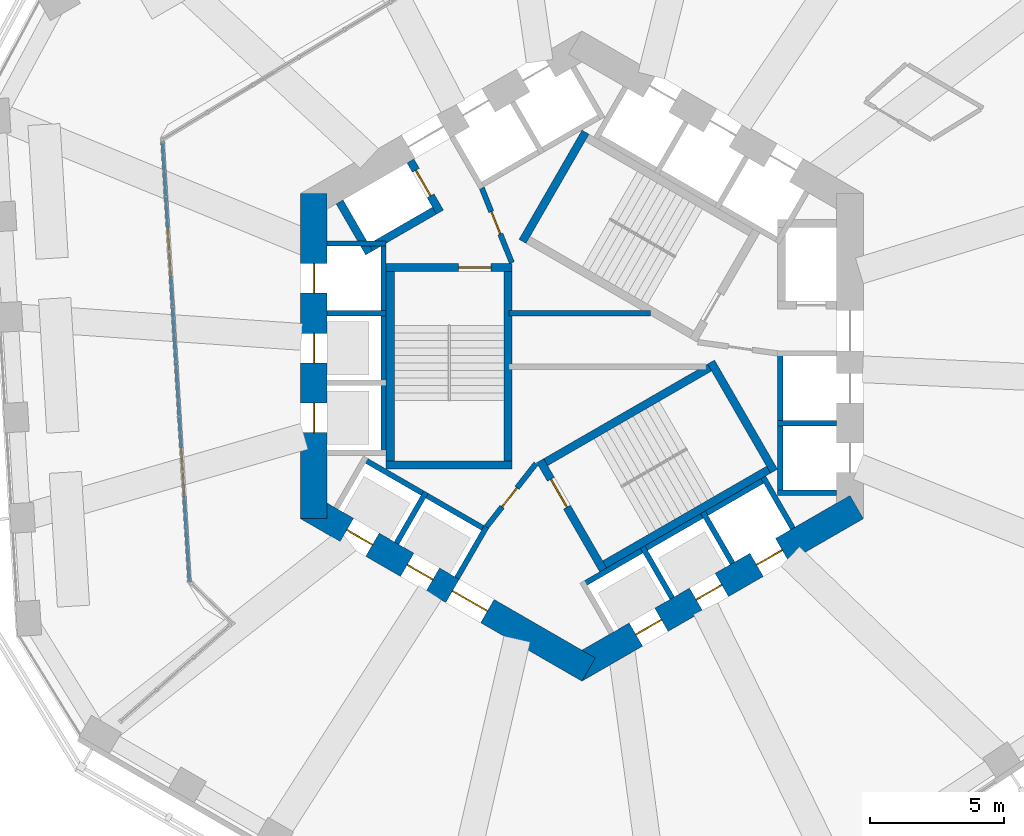
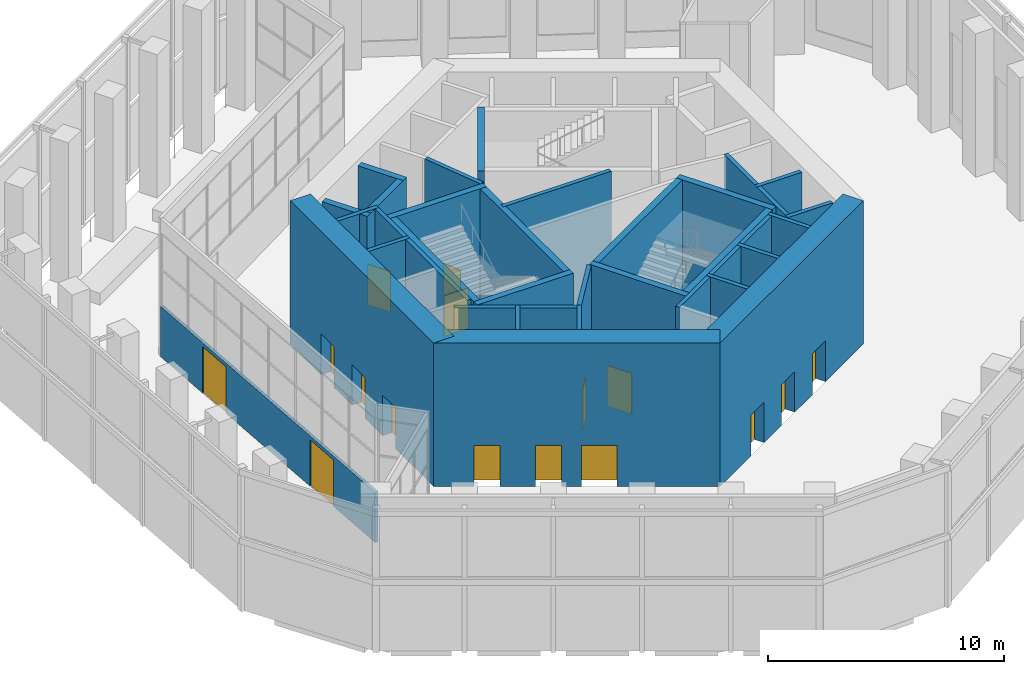
# One storey, part 10 of 19: 32 walls, 16 doors, 16 openings.
"""IFC4 building model written with IfcOpenShell, lengths in metres."""

from ifc_helpers import new_model, si_unit, direction, frame, frame_2d, origin, place, context, subcontext, project, spatial, rectangle, extrude, material, layer, layer_set, type_object, element, fill, save


model = new_model("IFC4")

# Units and contexts
model_context = context("Model", 3, precision=1e-05, world=origin(), true_north=direction((0.0, 1.0)))
body_context = subcontext(model_context, "Body", "Model", "MODEL_VIEW")
ifc_project = project(units=[si_unit("LENGTHUNIT", "METRE"), si_unit("AREAUNIT", "SQUARE_METRE"), si_unit("VOLUMEUNIT", "CUBIC_METRE"), si_unit("PLANEANGLEUNIT", "RADIAN"), si_unit("MASSUNIT", "GRAM", prefix="KILO")], contexts=[model_context])

# Site, building, storey
site_placement = place(None, origin())
site = spatial("IfcSite", under=ifc_project, at=site_placement, CompositionType="ELEMENT")
building_placement = place(site_placement, origin())
building = spatial("IfcBuilding", under=site, at=building_placement, Name="Vanh Sen Convention Tower", CompositionType="ELEMENT")
storey_placement = place(building_placement, frame((0.0, 0.0, 139.199951171875)))
storey = spatial("IfcBuildingStorey", under=building, at=storey_placement, Name="L34", CompositionType="ELEMENT", Elevation=139.199951171875)

# Wall, openings, doors
ifc_material_1 = material(Name="Concrete C80/95", Category="concrete")
ifc_layer_1 = layer(ifc_material_1, 1.0)
ifc_layer_set_1 = layer_set([ifc_layer_1], Name="Concrete C80/95")
wall_type_1 = type_object("IfcWallType", Name="Core outer wall 1000 C80/95", PredefinedType="SHEAR", material=ifc_layer_set_1)
wall_1_placement = place(storey_placement, frame((-10.0, 6.062255859375, 0.0), z_axis=(0.0, 0.0, 1.0), x_axis=(0.0, -1.0, 0.0)))
wall_1 = element("IfcWall", 1, at=wall_1_placement, inside=storey, type_object=wall_type_1, Name="Core wall face W L34", PredefinedType="SHEAR", context=body_context, shape_type="SweptSolid", body=[
    extrude(rectangle(XDim=12.12451171875, YDim=1.0, at=frame_2d((6.062255859375, 0.0))), origin(), (0.0, 0.0, 1.0), 7.400146484375),
])
opening_1_placement = place(wall_1_placement, frame((5.212158203125, 0.0, 0.0)))
opening_1 = element("IfcOpeningElement", 2, at=opening_1_placement, cuts=wall_1, Name="Opening LD-HR1", PredefinedType="OPENING", context=body_context, shape_type="SweptSolid", body=[
    extrude(rectangle(XDim=1.10009765625, YDim=2.10009765625, at=frame_2d((0.550048828125, 1.050048828125))), frame((0.0, 0.510009765625, 0.0), z_axis=(0.0, -1.0, 0.0), x_axis=(1.0, 0.0, 0.0)), (0.0, 0.0, 1.0), 1.02001953125),
])
opening_2_placement = place(wall_1_placement, frame((7.812255859375, 0.0, 0.0)))
opening_2 = element("IfcOpeningElement", 3, at=opening_2_placement, cuts=wall_1, Name="Opening LD-HR2", PredefinedType="OPENING", context=body_context, shape_type="SweptSolid", body=[
    extrude(rectangle(XDim=1.10009765625, YDim=2.10009765625, at=frame_2d((0.550048828125, 1.050048828125))), frame((0.0, 0.510009765625, 0.0), z_axis=(0.0, -1.0, 0.0), x_axis=(1.0, 0.0, 0.0)), (0.0, 0.0, 1.0), 1.02001953125),
])
opening_3_placement = place(wall_1_placement, frame((2.6123046875, 0.0, 0.0)))
opening_3 = element("IfcOpeningElement", 4, at=opening_3_placement, cuts=wall_1, Name="Opening LD-SH2", PredefinedType="OPENING", context=body_context, shape_type="SweptSolid", body=[
    extrude(rectangle(XDim=1.10009765625, YDim=2.10009765625, at=frame_2d((0.550048828125, 1.050048828125))), frame((0.0, 0.510009765625, 0.0), z_axis=(0.0, -1.0, 0.0), x_axis=(1.0, 0.0, 0.0)), (0.0, 0.0, 1.0), 1.02001953125),
])
ifc_material_2 = material(Name="Stainless steel", Category="steel")
door_type_1 = type_object("IfcDoorType", Name="Lift landing door 1100", OperationType="DOUBLE_DOOR_SLIDING", PredefinedType="DOOR", material=ifc_material_2)
door_1_placement = place(opening_1_placement, origin())
door_1 = element("IfcDoor", 5, at=door_1_placement, inside=storey, type_object=door_type_1, Name="Lift HR1 landing door LD-HR1", OperationType="DOUBLE_DOOR_SLIDING", OverallHeight=2.10009765625, OverallWidth=1.10009765625, PredefinedType="DOOR", context=body_context, shape_type="SweptSolid", body=[
    extrude(rectangle(XDim=1.10009765625, YDim=2.10009765625, at=frame_2d((0.550048828125, 1.050048828125))), frame((0.0, 0.02490234375, 0.0), z_axis=(0.0, -1.0, 0.0), x_axis=(1.0, 0.0, 0.0)), (0.0, 0.0, 1.0), 0.050048828125),
])
fill(opening_1, door_1)
door_2_placement = place(opening_2_placement, origin())
door_2 = element("IfcDoor", 6, at=door_2_placement, inside=storey, type_object=door_type_1, Name="Lift HR2 landing door LD-HR2", OperationType="DOUBLE_DOOR_SLIDING", OverallHeight=2.10009765625, OverallWidth=1.10009765625, PredefinedType="DOOR", context=body_context, shape_type="SweptSolid", body=[
    extrude(rectangle(XDim=1.10009765625, YDim=2.10009765625, at=frame_2d((0.550048828125, 1.050048828125))), frame((0.0, 0.02490234375, 0.0), z_axis=(0.0, -1.0, 0.0), x_axis=(1.0, 0.0, 0.0)), (0.0, 0.0, 1.0), 0.050048828125),
])
fill(opening_2, door_2)
door_3_placement = place(opening_3_placement, origin())
door_3 = element("IfcDoor", 7, at=door_3_placement, inside=storey, type_object=door_type_1, Name="Lift SH2 landing door LD-SH2", OperationType="DOUBLE_DOOR_SLIDING", OverallHeight=2.10009765625, OverallWidth=1.10009765625, PredefinedType="DOOR", context=body_context, shape_type="SweptSolid", body=[
    extrude(rectangle(XDim=1.10009765625, YDim=2.10009765625, at=frame_2d((0.550048828125, 1.050048828125))), frame((0.0, 0.02490234375, 0.0), z_axis=(0.0, -1.0, 0.0), x_axis=(1.0, 0.0, 0.0)), (0.0, 0.0, 1.0), 0.050048828125),
])
fill(opening_3, door_3)

wall_2_placement = place(storey_placement, frame((-10.25, -5.629150390625, 0.0), z_axis=(0.0, 0.0, 1.0), x_axis=(0.866022616891, -0.50000482701, 0.0)))
wall_2 = element("IfcWall", 8, at=wall_2_placement, inside=storey, type_object=wall_type_1, Name="Core wall face SW L34", PredefinedType="SHEAR", context=body_context, shape_type="SweptSolid", body=[
    extrude(rectangle(XDim=12.12451171875, YDim=1.0, at=frame_2d((6.062255859375, 0.0))), origin(), (0.0, 0.0, 1.0), 7.400146484375),
])
opening_4_placement = place(wall_2_placement, frame((6.26220703125, 0.0, 0.0)))
opening_4 = element("IfcOpeningElement", 9, at=opening_4_placement, cuts=wall_2, Name="Opening D34003", PredefinedType="OPENING", context=body_context, shape_type="SweptSolid", body=[
    extrude(rectangle(XDim=1.5, YDim=2.10009765625, at=frame_2d((0.75, 1.050048828125))), frame((0.0, 0.510009765625, 0.0), z_axis=(0.0, -1.0, 0.0), x_axis=(1.0, 0.0, 0.0)), (0.0, 0.0, 1.0), 1.02001953125),
])
opening_5_placement = place(wall_2_placement, frame((1.712158203125, 0.0, 0.0)))
opening_5 = element("IfcOpeningElement", 10, at=opening_5_placement, cuts=wall_2, Name="Opening LD-HR3", PredefinedType="OPENING", context=body_context, shape_type="SweptSolid", body=[
    extrude(rectangle(XDim=1.10009765625, YDim=2.10009765625, at=frame_2d((0.550048828125, 1.050048828125))), frame((0.0, 0.510009765625, 0.0), z_axis=(0.0, -1.0, 0.0), x_axis=(1.0, 0.0, 0.0)), (0.0, 0.0, 1.0), 1.02001953125),
])
opening_6_placement = place(wall_2_placement, frame((4.312255859375, 0.0, 0.0)))
opening_6 = element("IfcOpeningElement", 11, at=opening_6_placement, cuts=wall_2, Name="Opening LD-HR4", PredefinedType="OPENING", context=body_context, shape_type="SweptSolid", body=[
    extrude(rectangle(XDim=1.10009765625, YDim=2.10009765625, at=frame_2d((0.550048828125, 1.050048828125))), frame((0.0, 0.510009765625, 0.0), z_axis=(0.0, -1.0, 0.0), x_axis=(1.0, 0.0, 0.0)), (0.0, 0.0, 1.0), 1.02001953125),
])
door_4_placement = place(opening_5_placement, origin())
door_4 = element("IfcDoor", 12, at=door_4_placement, inside=storey, type_object=door_type_1, Name="Lift HR3 landing door LD-HR3", OperationType="DOUBLE_DOOR_SLIDING", OverallHeight=2.10009765625, OverallWidth=1.10009765625, PredefinedType="DOOR", context=body_context, shape_type="SweptSolid", body=[
    extrude(rectangle(XDim=1.10009765625, YDim=2.10009765625, at=frame_2d((0.550048828125, 1.050048828125))), frame((0.0, 0.02490234375, 0.0), z_axis=(0.0, -1.0, 0.0), x_axis=(1.0, 0.0, 0.0)), (0.0, 0.0, 1.0), 0.050048828125),
])
fill(opening_5, door_4)
door_5_placement = place(opening_6_placement, origin())
door_5 = element("IfcDoor", 13, at=door_5_placement, inside=storey, type_object=door_type_1, Name="Lift HR4 landing door LD-HR4", OperationType="DOUBLE_DOOR_SLIDING", OverallHeight=2.10009765625, OverallWidth=1.10009765625, PredefinedType="DOOR", context=body_context, shape_type="SweptSolid", body=[
    extrude(rectangle(XDim=1.10009765625, YDim=2.10009765625, at=frame_2d((0.550048828125, 1.050048828125))), frame((0.0, 0.02490234375, 0.0), z_axis=(0.0, -1.0, 0.0), x_axis=(1.0, 0.0, 0.0)), (0.0, 0.0, 1.0), 0.050048828125),
])
fill(opening_6, door_5)
ifc_material_3 = material(Name="Steel S355", Category="steel")
door_type_2 = type_object("IfcDoorType", Name="Stair lobby door 1500", OperationType="DOUBLE_DOOR_SINGLE_SWING", PredefinedType="DOOR", material=ifc_material_3)
door_6_placement = place(opening_4_placement, origin())
door_6 = element("IfcDoor", 14, at=door_6_placement, inside=storey, type_object=door_type_2, Name="Stair lobby door D34003", OperationType="DOUBLE_DOOR_SINGLE_SWING", OverallHeight=2.10009765625, OverallWidth=1.5, PredefinedType="DOOR", context=body_context, shape_type="SweptSolid", body=[
    extrude(rectangle(XDim=1.5, YDim=2.10009765625, at=frame_2d((0.75, 1.050048828125))), frame((0.0, 0.02490234375, 0.0), z_axis=(0.0, -1.0, 0.0), x_axis=(1.0, 0.0, 0.0)), (0.0, 0.0, 1.0), 0.050048828125),
])
fill(opening_4, door_6)

wall_3_placement = place(storey_placement, frame((-0.25, -11.69140625, 0.0), z_axis=(0.0, 0.0, 1.0), x_axis=(0.866022616891, 0.50000482701, 0.0)))
wall_3 = element("IfcWall", 15, at=wall_3_placement, inside=storey, type_object=wall_type_1, Name="Core wall face SE L34", PredefinedType="SHEAR", context=body_context, shape_type="SweptSolid", body=[
    extrude(rectangle(XDim=12.12451171875, YDim=1.0, at=frame_2d((6.062255859375, 0.0))), origin(), (0.0, 0.0, 1.0), 7.400146484375),
])
opening_7_placement = place(wall_3_placement, frame((2.6123046875, 0.0, 0.0)))
opening_7 = element("IfcOpeningElement", 16, at=opening_7_placement, cuts=wall_3, Name="Opening LD-HR5", PredefinedType="OPENING", context=body_context, shape_type="SweptSolid", body=[
    extrude(rectangle(XDim=1.10009765625, YDim=2.10009765625, at=frame_2d((0.550048828125, 1.050048828125))), frame((0.0, 0.510009765625, 0.0), z_axis=(0.0, -1.0, 0.0), x_axis=(1.0, 0.0, 0.0)), (0.0, 0.0, 1.0), 1.02001953125),
])
opening_8_placement = place(wall_3_placement, frame((5.212158203125, 0.0, 0.0)))
opening_8 = element("IfcOpeningElement", 17, at=opening_8_placement, cuts=wall_3, Name="Opening LD-HR6", PredefinedType="OPENING", context=body_context, shape_type="SweptSolid", body=[
    extrude(rectangle(XDim=1.10009765625, YDim=2.10009765625, at=frame_2d((0.550048828125, 1.050048828125))), frame((0.0, 0.510009765625, 0.0), z_axis=(0.0, -1.0, 0.0), x_axis=(1.0, 0.0, 0.0)), (0.0, 0.0, 1.0), 1.02001953125),
])
opening_9_placement = place(wall_3_placement, frame((7.812255859375, 0.0, 0.0)))
opening_9 = element("IfcOpeningElement", 18, at=opening_9_placement, cuts=wall_3, Name="Opening LD-SV1", PredefinedType="OPENING", context=body_context, shape_type="SweptSolid", body=[
    extrude(rectangle(XDim=1.10009765625, YDim=2.10009765625, at=frame_2d((0.550048828125, 1.050048828125))), frame((0.0, 0.510009765625, 0.0), z_axis=(0.0, -1.0, 0.0), x_axis=(1.0, 0.0, 0.0)), (0.0, 0.0, 1.0), 1.02001953125),
])
door_7_placement = place(opening_7_placement, origin())
door_7 = element("IfcDoor", 19, at=door_7_placement, inside=storey, type_object=door_type_1, Name="Lift HR5 landing door LD-HR5", OperationType="DOUBLE_DOOR_SLIDING", OverallHeight=2.10009765625, OverallWidth=1.10009765625, PredefinedType="DOOR", context=body_context, shape_type="SweptSolid", body=[
    extrude(rectangle(XDim=1.10009765625, YDim=2.10009765625, at=frame_2d((0.550048828125, 1.050048828125))), frame((0.0, 0.02490234375, 0.0), z_axis=(0.0, -1.0, 0.0), x_axis=(1.0, 0.0, 0.0)), (0.0, 0.0, 1.0), 0.050048828125),
])
fill(opening_7, door_7)
door_8_placement = place(opening_8_placement, origin())
door_8 = element("IfcDoor", 20, at=door_8_placement, inside=storey, type_object=door_type_1, Name="Lift HR6 landing door LD-HR6", OperationType="DOUBLE_DOOR_SLIDING", OverallHeight=2.10009765625, OverallWidth=1.10009765625, PredefinedType="DOOR", context=body_context, shape_type="SweptSolid", body=[
    extrude(rectangle(XDim=1.10009765625, YDim=2.10009765625, at=frame_2d((0.550048828125, 1.050048828125))), frame((0.0, 0.02490234375, 0.0), z_axis=(0.0, -1.0, 0.0), x_axis=(1.0, 0.0, 0.0)), (0.0, 0.0, 1.0), 0.050048828125),
])
fill(opening_8, door_8)
door_9_placement = place(opening_9_placement, origin())
door_9 = element("IfcDoor", 21, at=door_9_placement, inside=storey, type_object=door_type_1, Name="Lift SV1 landing door LD-SV1", OperationType="DOUBLE_DOOR_SLIDING", OverallHeight=2.10009765625, OverallWidth=1.10009765625, PredefinedType="DOOR", context=body_context, shape_type="SweptSolid", body=[
    extrude(rectangle(XDim=1.10009765625, YDim=2.10009765625, at=frame_2d((0.550048828125, 1.050048828125))), frame((0.0, 0.02490234375, 0.0), z_axis=(0.0, -1.0, 0.0), x_axis=(1.0, 0.0, 0.0)), (0.0, 0.0, 1.0), 0.050048828125),
])
fill(opening_9, door_9)

# Wall
ifc_material_4 = material(Name="Masonry blockwork", Category="masonry")
ifc_layer_2 = layer(ifc_material_4, 0.199951171875)
ifc_layer_set_2 = layer_set([ifc_layer_2], Name="Masonry blockwork")
wall_type_2 = type_object("IfcWallType", Name="Core partition 200", PredefinedType="PARTITIONING", material=ifc_layer_set_2)
wall_4_placement = place(storey_placement, frame((-2.719970703125, 1.60009765625, 0.0), z_axis=(0.0, 0.0, 1.0), x_axis=(1.0, 0.0, 0.0)))
element("IfcWall", 22, at=wall_4_placement, inside=storey, type_object=wall_type_2, Name="Core partition L34", PredefinedType="PARTITIONING", context=body_context, shape_type="SweptSolid", body=[
    extrude(rectangle(XDim=5.2685546875, YDim=0.199951171875, at=frame_2d((2.63427734375, 0.0))), origin(), (0.0, 0.0, 1.0), 7.1201171875),
])

# Wall, opening, door
ifc_material_5 = material(Name="Concrete C60/75", Category="concrete")
ifc_layer_3 = layer(ifc_material_5, 0.300048828125)
ifc_layer_set_3 = layer_set([ifc_layer_3], Name="Concrete C60/75")
wall_type_3 = type_object("IfcWallType", Name="Fire-fighting lift shaft wall 300", PredefinedType="SHEAR", material=ifc_layer_set_3)
wall_5_placement = place(storey_placement, frame((-5.29541015625, 5.3720703125, 0.0), z_axis=(0.0, 0.0, 1.0), x_axis=(-0.500077893725, 0.86598042715, 0.0)))
wall_5 = element("IfcWall", 23, at=wall_5_placement, inside=storey, type_object=wall_type_3, Name="Fire-fighting lift shaft wall L34", PredefinedType="SHEAR", context=body_context, shape_type="SweptSolid", body=[
    extrude(rectangle(XDim=2.199951171875, YDim=0.300048828125, at=frame_2d((1.10009765625, 0.0))), origin(), (0.0, 0.0, 1.0), 7.1201171875),
])
opening_10_placement = place(wall_5_placement, frame((0.699951171875, 0.0, 0.0)))
opening_10 = element("IfcOpeningElement", 24, at=opening_10_placement, cuts=wall_5, Name="Opening LD-FF2", PredefinedType="OPENING", context=body_context, shape_type="SweptSolid", body=[
    extrude(rectangle(XDim=1.10009765625, YDim=2.10009765625, at=frame_2d((0.550048828125, 1.050048828125))), frame((0.0, 0.159912109375, 0.0), z_axis=(0.0, -1.0, 0.0), x_axis=(1.0, 0.0, 0.0)), (0.0, 0.0, 1.0), 0.320068359375),
])
door_type_3 = type_object("IfcDoorType", Name="Fire-fighting lift landing door 1100", OperationType="DOUBLE_DOOR_SLIDING", PredefinedType="DOOR", material=ifc_material_2)
door_10_placement = place(opening_10_placement, origin())
door_10 = element("IfcDoor", 25, at=door_10_placement, inside=storey, type_object=door_type_3, Name="Lift FF2 landing door LD-FF2", OperationType="DOUBLE_DOOR_SLIDING", OverallHeight=2.10009765625, OverallWidth=1.10009765625, PredefinedType="DOOR", context=body_context, shape_type="SweptSolid", body=[
    extrude(rectangle(XDim=1.10009765625, YDim=2.10009765625, at=frame_2d((0.550048828125, 1.050048828125))), frame((0.0, 0.02490234375, 0.0), z_axis=(0.0, -1.0, 0.0), x_axis=(1.0, 0.0, 0.0)), (0.0, 0.0, 1.0), 0.050048828125),
])
fill(opening_10, door_10)

# Walls
wall_6_placement = place(storey_placement, frame((-5.240478515625, 5.576904296875, 0.0), z_axis=(0.0, 0.0, 1.0), x_axis=(-0.866014461049, -0.500018952895, 0.0)))
element("IfcWall", 26, at=wall_6_placement, inside=storey, type_object=wall_type_3, Name="Fire-fighting lift shaft wall L34", PredefinedType="SHEAR", context=body_context, shape_type="SweptSolid", body=[
    extrude(rectangle(XDim=3.349853515625, YDim=0.300048828125, at=frame_2d((1.6748046875, 0.0))), origin(), (0.0, 0.0, 1.0), 7.1201171875),
])
wall_7_placement = place(storey_placement, frame((-7.936767578125, 3.846923828125, 0.0), z_axis=(0.0, 0.0, 1.0), x_axis=(-0.50002983664, 0.866008176907, 0.0)))
element("IfcWall", 27, at=wall_7_placement, inside=storey, type_object=wall_type_3, Name="Fire-fighting lift shaft wall L34", PredefinedType="SHEAR", context=body_context, shape_type="SweptSolid", body=[
    extrude(rectangle(XDim=2.199951171875, YDim=0.300048828125, at=frame_2d((1.10009765625, 0.0))), origin(), (0.0, 0.0, 1.0), 7.1201171875),
])
ifc_material_6 = material(Name="Concrete C40/50", Category="concrete")
ifc_layer_4 = layer(ifc_material_6, 0.199951171875)
ifc_layer_set_4 = layer_set([ifc_layer_4], Name="Concrete C40/50")
wall_type_4 = type_object("IfcWallType", Name="Lift shaft wall 200", PredefinedType="PARTITIONING", material=ifc_layer_set_4)
wall_8_placement = place(storey_placement, frame((7.39990234375, -5.199951171875, 0.0), z_axis=(0.0, 0.0, 1.0), x_axis=(0.0, 1.0, 0.0)))
element("IfcWall", 28, at=wall_8_placement, inside=storey, type_object=wall_type_4, Name="Lift shaft wall L34", PredefinedType="PARTITIONING", context=body_context, shape_type="SweptSolid", body=[
    extrude(rectangle(XDim=5.39990234375, YDim=0.199951171875, at=frame_2d((2.699951171875, 0.0))), origin(), (0.0, 0.0, 1.0), 7.1201171875),
])
for number, where, z_axis, x_axis, name in (
    (29, (7.300048828125, -5.10009765625, 0.0), (0.0, 0.0, 1.0), (1.0, 0.0, 0.0), "Lift shaft wall L34"),
    (30, (7.300048828125, -2.5, 0.0), (0.0, 0.0, 1.0), (1.0, 0.0, 0.0), "Lift shaft wall L34"),
):
    element("IfcWall", number, at=place(storey_placement, frame(where, z_axis=z_axis, x_axis=x_axis)), inside=storey, type_object=wall_type_4, Name=name, PredefinedType="PARTITIONING", context=body_context, shape_type="SweptSolid", body=[
        extrude(rectangle(XDim=2.199951171875, YDim=0.199951171875, at=frame_2d((1.10009765625, 0.0))), origin(), (0.0, 0.0, 1.0), 7.1201171875),
    ])
wall_9_placement = place(storey_placement, frame((-7.39990234375, 4.300048828125, 0.0), z_axis=(0.0, 0.0, 1.0), x_axis=(0.0, -1.0, 0.0)))
element("IfcWall", 31, at=wall_9_placement, inside=storey, type_object=wall_type_4, Name="Lift shaft wall L34", PredefinedType="PARTITIONING", context=body_context, shape_type="SweptSolid", body=[
    extrude(rectangle(XDim=8.0, YDim=0.199951171875, at=frame_2d((4.0, 0.0))), origin(), (0.0, 0.0, 1.0), 7.1201171875),
])
for number, where, z_axis, x_axis, name in (
    (32, (-7.300048828125, 4.199951171875, 0.0), (0.0, 0.0, 1.0), (-1.0, 0.0, 0.0), "Lift shaft wall L34"),
    (33, (-7.300048828125, 1.60009765625, 0.0), (0.0, 0.0, 1.0), (-1.0, 0.0, 0.0), "Lift shaft wall L34"),
):
    element("IfcWall", number, at=place(storey_placement, frame(where, z_axis=z_axis, x_axis=x_axis)), inside=storey, type_object=wall_type_4, Name=name, PredefinedType="PARTITIONING", context=body_context, shape_type="SweptSolid", body=[
        extrude(rectangle(XDim=2.199951171875, YDim=0.199951171875, at=frame_2d((1.10009765625, 0.0))), origin(), (0.0, 0.0, 1.0), 7.1201171875),
    ])
wall_10_placement = place(storey_placement, frame((-8.203369140625, -3.80859375, 0.0), z_axis=(0.0, 0.0, 1.0), x_axis=(0.866028230842, -0.499995103361, 0.0)))
element("IfcWall", 34, at=wall_10_placement, inside=storey, type_object=wall_type_4, Name="Lift shaft wall L34", PredefinedType="PARTITIONING", context=body_context, shape_type="SweptSolid", body=[
    extrude(rectangle(XDim=5.39990234375, YDim=0.199951171875, at=frame_2d((2.699951171875, 0.0))), origin(), (0.0, 0.0, 1.0), 7.1201171875),
])
wall_11_placement = place(storey_placement, frame((-5.815185546875, -5.072021484375, 0.0), z_axis=(0.0, 0.0, 1.0), x_axis=(-0.499946605688, -0.86605622881, 0.0)))
element("IfcWall", 35, at=wall_11_placement, inside=storey, type_object=wall_type_4, Name="Lift shaft wall L34", PredefinedType="PARTITIONING", context=body_context, shape_type="SweptSolid", body=[
    extrude(rectangle(XDim=2.199951171875, YDim=0.199951171875, at=frame_2d((1.10009765625, 0.0))), origin(), (0.0, 0.0, 1.0), 7.1201171875),
])
wall_12_placement = place(storey_placement, frame((-3.5634765625, -6.3720703125, 0.0), z_axis=(0.0, 0.0, 1.0), x_axis=(-0.499994660107, -0.866028486751, 0.0)))
element("IfcWall", 36, at=wall_12_placement, inside=storey, type_object=wall_type_4, Name="Lift shaft wall L34", PredefinedType="PARTITIONING", context=body_context, shape_type="SweptSolid", body=[
    extrude(rectangle(XDim=2.19970703125, YDim=0.199951171875, at=frame_2d((1.099853515625, 0.0))), origin(), (0.0, 0.0, 1.0), 7.1201171875),
])
wall_13_placement = place(storey_placement, frame((-0.02392578125, -8.55859375, 0.0), z_axis=(0.0, 0.0, 1.0), x_axis=(0.866026010844, 0.49999894854, 0.0)))
element("IfcWall", 37, at=wall_13_placement, inside=storey, type_object=wall_type_4, Name="Lift shaft wall L34", PredefinedType="PARTITIONING", context=body_context, shape_type="SweptSolid", body=[
    extrude(rectangle(XDim=8.0, YDim=0.199951171875, at=frame_2d((4.0, 0.0))), origin(), (0.0, 0.0, 1.0), 7.1201171875),
])
for number, where, z_axis, x_axis, name in (
    (38, (2.264404296875, -7.1220703125, 0.0), (0.0, 0.0, 1.0), (0.500077893725, -0.86598042715, 0.0), "Lift shaft wall L34"),
    (39, (4.51611328125, -5.822021484375, 0.0), (0.0, 0.0, 1.0), (0.499946605688, -0.86605622881, 0.0), "Lift shaft wall L34"),
    (40, (6.767578125, -4.52197265625, 0.0), (0.0, 0.0, 1.0), (0.50002983664, -0.866008176907, 0.0), "Lift shaft wall L34"),
):
    element("IfcWall", number, at=place(storey_placement, frame(where, z_axis=z_axis, x_axis=x_axis)), inside=storey, type_object=wall_type_4, Name=name, PredefinedType="PARTITIONING", context=body_context, shape_type="SweptSolid", body=[
        extrude(rectangle(XDim=2.199951171875, YDim=0.199951171875, at=frame_2d((1.10009765625, 0.0))), origin(), (0.0, 0.0, 1.0), 7.1201171875),
    ])

# Wall, opening, door
ifc_layer_5 = layer(ifc_material_6, 0.199951171875)
ifc_layer_set_5 = layer_set([ifc_layer_5], Name="Concrete C40/50")
wall_type_5 = type_object("IfcWallType", Name="Stair lobby wall 200", PredefinedType="PARTITIONING", material=ifc_layer_set_5)
wall_14_placement = place(storey_placement, frame((-2.614990234375, 3.487060546875, 0.0), z_axis=(0.0, 0.0, 1.0), x_axis=(-0.373576831041, 0.92759924068, 0.0)))
wall_14 = element("IfcWall", 41, at=wall_14_placement, inside=storey, type_object=wall_type_5, Name="Stair lobby wall L34", PredefinedType="PARTITIONING", context=body_context, shape_type="SweptSolid", body=[
    extrude(rectangle(XDim=3.002197265625, YDim=0.199951171875, at=frame_2d((1.5009765625, 0.0))), origin(), (0.0, 0.0, 1.0), 7.1201171875),
])
opening_11_placement = place(wall_14_placement, frame((1.14990234375, 0.0, 0.0)))
opening_11 = element("IfcOpeningElement", 42, at=opening_11_placement, cuts=wall_14, Name="Opening D34008", PredefinedType="OPENING", context=body_context, shape_type="SweptSolid", body=[
    extrude(rectangle(XDim=0.89990234375, YDim=2.10009765625, at=frame_2d((0.449951171875, 1.050048828125))), frame((0.0, 0.10986328125, 0.0), z_axis=(0.0, -1.0, 0.0), x_axis=(1.0, 0.0, 0.0)), (0.0, 0.0, 1.0), 0.219970703125),
])
door_type_4 = type_object("IfcDoorType", Name="Plant door 900", OperationType="SINGLE_SWING_LEFT", PredefinedType="DOOR", material=ifc_material_3)
door_11_placement = place(opening_11_placement, origin())
door_11 = element("IfcDoor", 43, at=door_11_placement, inside=storey, type_object=door_type_4, Name="Plant door D34008", OperationType="SINGLE_SWING_LEFT", OverallHeight=2.10009765625, OverallWidth=0.89990234375, PredefinedType="DOOR", context=body_context, shape_type="SweptSolid", body=[
    extrude(rectangle(XDim=0.89990234375, YDim=2.10009765625, at=frame_2d((0.449951171875, 1.050048828125))), frame((0.0, 0.02490234375, 0.0), z_axis=(0.0, -1.0, 0.0), x_axis=(1.0, 0.0, 0.0)), (0.0, 0.0, 1.0), 0.050048828125),
])
fill(opening_11, door_11)

wall_15_placement = place(storey_placement, frame((-1.71240234375, -4.00830078125, 0.0), z_axis=(0.0, 0.0, 1.0), x_axis=(-0.616549420702, -0.787316208287, 0.0)))
wall_15 = element("IfcWall", 44, at=wall_15_placement, inside=storey, type_object=wall_type_5, Name="Stair lobby wall L34", PredefinedType="PARTITIONING", context=body_context, shape_type="SweptSolid", body=[
    extrude(rectangle(XDim=3.002197265625, YDim=0.199951171875, at=frame_2d((1.5009765625, 0.0))), origin(), (0.0, 0.0, 1.0), 7.1201171875),
])
opening_12_placement = place(wall_15_placement, frame((1.14990234375, 0.0, 0.0)))
opening_12 = element("IfcOpeningElement", 45, at=opening_12_placement, cuts=wall_15, Name="Opening D34009", PredefinedType="OPENING", context=body_context, shape_type="SweptSolid", body=[
    extrude(rectangle(XDim=0.89990234375, YDim=2.10009765625, at=frame_2d((0.449951171875, 1.050048828125))), frame((0.0, 0.10986328125, 0.0), z_axis=(0.0, -1.0, 0.0), x_axis=(1.0, 0.0, 0.0)), (0.0, 0.0, 1.0), 0.219970703125),
])
door_12_placement = place(opening_12_placement, origin())
door_12 = element("IfcDoor", 46, at=door_12_placement, inside=storey, type_object=door_type_4, Name="Plant door D34009", OperationType="SINGLE_SWING_LEFT", OverallHeight=2.10009765625, OverallWidth=0.89990234375, PredefinedType="DOOR", context=body_context, shape_type="SweptSolid", body=[
    extrude(rectangle(XDim=0.89990234375, YDim=2.10009765625, at=frame_2d((0.449951171875, 1.050048828125))), frame((0.0, 0.02490234375, 0.0), z_axis=(0.0, -1.0, 0.0), x_axis=(1.0, 0.0, 0.0)), (0.0, 0.0, 1.0), 0.050048828125),
])
fill(opening_12, door_12)

# Wall
ifc_layer_6 = layer(ifc_material_5, 0.300048828125)
ifc_layer_set_6 = layer_set([ifc_layer_6], Name="Concrete C60/75")
wall_type_6 = type_object("IfcWallType", Name="Stair wall 300", PredefinedType="SHEAR", material=ifc_layer_set_6)
wall_16_placement = place(storey_placement, frame((-2.216064453125, 4.28173828125, 0.0), z_axis=(0.0, 0.0, 1.0), x_axis=(0.499977259774, 0.866038532462, 0.0)))
element("IfcWall", 47, at=wall_16_placement, inside=storey, type_object=wall_type_6, Name="Stair wall L34", PredefinedType="SHEAR", context=body_context, shape_type="SweptSolid", body=[
    extrude(rectangle(XDim=4.699951171875, YDim=0.300048828125, at=frame_2d((2.35009765625, 0.0))), origin(), (0.0, 0.0, 1.0), 7.1201171875),
])

# Wall, opening, door
wall_17_placement = place(storey_placement, frame((-2.60009765625, 3.300048828125, 0.0), z_axis=(0.0, 0.0, 1.0), x_axis=(-1.0, 0.0, 0.0)))
wall_17 = element("IfcWall", 48, at=wall_17_placement, inside=storey, type_object=wall_type_6, Name="Stair wall L34", PredefinedType="SHEAR", context=body_context, shape_type="SweptSolid", body=[
    extrude(rectangle(XDim=4.699951171875, YDim=0.300048828125, at=frame_2d((2.35009765625, 0.0))), origin(), (0.0, 0.0, 1.0), 7.1201171875),
])
opening_13_placement = place(wall_17_placement, frame((0.800048828125, 0.0, 0.0)))
opening_13 = element("IfcOpeningElement", 49, at=opening_13_placement, cuts=wall_17, Name="Opening D34005", PredefinedType="OPENING", context=body_context, shape_type="SweptSolid", body=[
    extrude(rectangle(XDim=1.199951171875, YDim=2.10009765625, at=frame_2d((0.60009765625, 1.050048828125))), frame((0.0, 0.159912109375, 0.0), z_axis=(0.0, -1.0, 0.0), x_axis=(1.0, 0.0, 0.0)), (0.0, 0.0, 1.0), 0.320068359375),
])
door_type_5 = type_object("IfcDoorType", Name="Stair door 1200", OperationType="SINGLE_SWING_RIGHT", PredefinedType="DOOR", material=ifc_material_3)
door_13_placement = place(opening_13_placement, origin())
door_13 = element("IfcDoor", 50, at=door_13_placement, inside=storey, type_object=door_type_5, Name="Stair ST2 door D34005", OperationType="SINGLE_SWING_RIGHT", OverallHeight=2.10009765625, OverallWidth=1.199951171875, PredefinedType="DOOR", context=body_context, shape_type="SweptSolid", body=[
    extrude(rectangle(XDim=1.199951171875, YDim=2.10009765625, at=frame_2d((0.60009765625, 1.050048828125))), frame((0.0, 0.02490234375, 0.0), z_axis=(0.0, -1.0, 0.0), x_axis=(1.0, 0.0, 0.0)), (0.0, 0.0, 1.0), 0.050048828125),
])
fill(opening_13, door_13)

# Walls
wall_18_placement = place(storey_placement, frame((-2.60009765625, -4.06005859375, 0.0), z_axis=(0.0, 0.0, 1.0), x_axis=(-1.0, 0.0, 0.0)))
element("IfcWall", 51, at=wall_18_placement, inside=storey, type_object=wall_type_6, Name="Stair wall L34", PredefinedType="SHEAR", context=body_context, shape_type="SweptSolid", body=[
    extrude(rectangle(XDim=4.699951171875, YDim=0.300048828125, at=frame_2d((2.35009765625, 0.0))), origin(), (0.0, 0.0, 1.0), 7.1201171875),
])
for number, where, z_axis, x_axis, name in (
    (52, (-2.75, 3.14990234375, 0.0), (0.0, 0.0, 1.0), (0.0, -1.0, 0.0), "Stair wall L34"),
    (53, (-7.14990234375, 3.14990234375, 0.0), (0.0, 0.0, 1.0), (0.0, -1.0, 0.0), "Stair wall L34"),
):
    element("IfcWall", number, at=place(storey_placement, frame(where, z_axis=z_axis, x_axis=x_axis)), inside=storey, type_object=wall_type_6, Name=name, PredefinedType="SHEAR", context=body_context, shape_type="SweptSolid", body=[
        extrude(rectangle(XDim=7.059814453125, YDim=0.300048828125, at=frame_2d((3.52978515625, 0.0))), origin(), (0.0, 0.0, 1.0), 7.1201171875),
    ])

# Wall, opening, door
wall_19_placement = place(storey_placement, frame((-1.557861328125, -3.901611328125, 0.0), z_axis=(0.0, 0.0, 1.0), x_axis=(0.499977259774, -0.866038532462, 0.0)))
wall_19 = element("IfcWall", 54, at=wall_19_placement, inside=storey, type_object=wall_type_6, Name="Stair wall L34", PredefinedType="SHEAR", context=body_context, shape_type="SweptSolid", body=[
    extrude(rectangle(XDim=4.699951171875, YDim=0.300048828125, at=frame_2d((2.35009765625, 0.0))), origin(), (0.0, 0.0, 1.0), 7.1201171875),
])
opening_14_placement = place(wall_19_placement, frame((0.800048828125, 0.0, 0.0)))
opening_14 = element("IfcOpeningElement", 55, at=opening_14_placement, cuts=wall_19, Name="Opening D34006", PredefinedType="OPENING", context=body_context, shape_type="SweptSolid", body=[
    extrude(rectangle(XDim=1.199951171875, YDim=2.10009765625, at=frame_2d((0.60009765625, 1.050048828125))), frame((0.0, 0.159912109375, 0.0), z_axis=(0.0, -1.0, 0.0), x_axis=(1.0, 0.0, 0.0)), (0.0, 0.0, 1.0), 0.320068359375),
])
door_14_placement = place(opening_14_placement, origin())
door_14 = element("IfcDoor", 56, at=door_14_placement, inside=storey, type_object=door_type_5, Name="Stair ST3 door D34006", OperationType="SINGLE_SWING_RIGHT", OverallHeight=2.10009765625, OverallWidth=1.199951171875, PredefinedType="DOOR", context=body_context, shape_type="SweptSolid", body=[
    extrude(rectangle(XDim=1.199951171875, YDim=2.10009765625, at=frame_2d((0.60009765625, 1.050048828125))), frame((0.0, 0.02490234375, 0.0), z_axis=(0.0, -1.0, 0.0), x_axis=(1.0, 0.0, 0.0)), (0.0, 0.0, 1.0), 0.050048828125),
])
fill(opening_14, door_14)

# Walls
wall_20_placement = place(storey_placement, frame((4.816162109375, -0.2216796875, 0.0), z_axis=(0.0, 0.0, 1.0), x_axis=(0.499977259774, -0.866038532462, 0.0)))
element("IfcWall", 57, at=wall_20_placement, inside=storey, type_object=wall_type_6, Name="Stair wall L34", PredefinedType="SHEAR", context=body_context, shape_type="SweptSolid", body=[
    extrude(rectangle(XDim=4.699951171875, YDim=0.300048828125, at=frame_2d((2.35009765625, 0.0))), origin(), (0.0, 0.0, 1.0), 7.1201171875),
])
for number, where, z_axis, x_axis, name in (
    (58, (-1.35302734375, -3.95654296875, 0.0), (0.0, 0.0, 1.0), (0.866027801685, 0.499995846692, 0.0), "Stair wall L34"),
    (59, (0.846923828125, -7.76708984375, 0.0), (0.0, 0.0, 1.0), (0.866027801685, 0.499995846692, 0.0), "Stair wall L34"),
):
    element("IfcWall", number, at=place(storey_placement, frame(where, z_axis=z_axis, x_axis=x_axis)), inside=storey, type_object=wall_type_6, Name=name, PredefinedType="SHEAR", context=body_context, shape_type="SweptSolid", body=[
        extrude(rectangle(XDim=7.06005859375, YDim=0.300048828125, at=frame_2d((3.530029296875, 0.0))), origin(), (0.0, 0.0, 1.0), 7.1201171875),
    ])

# Wall, openings, doors
ifc_material_7 = material(Name="Aluminium-framed structural glazing with clear glass", Category="aluminium")
ifc_layer_7 = layer(ifc_material_7, 0.14990234375)
ifc_layer_set_7 = layer_set([ifc_layer_7], Name="Aluminium-framed structural glazing with clear glass")
wall_type_7 = type_object("IfcWallType", Name="Winter garden glazed wall 150", PredefinedType="STANDARD", material=ifc_layer_set_7)
wall_21_placement = place(storey_placement, frame((-14.637939453125, -8.424560546875, 0.0), z_axis=(0.0, 0.0, 1.0), x_axis=(-0.06105243285, 0.998134560289, 0.0)))
wall_21 = element("IfcWall", 60, at=wall_21_placement, inside=storey, type_object=wall_type_7, Name="Winter garden wall 3 L34", PredefinedType="STANDARD", context=body_context, shape_type="SweptSolid", body=[
    extrude(rectangle(XDim=16.451416015625, YDim=0.14990234375, at=frame_2d((8.2255859375, 0.0))), origin(), (0.0, 0.0, 1.0), 2.60009765625),
])
opening_15_placement = place(wall_21_placement, frame((3.212890625, 0.0, 0.0)))
opening_15 = element("IfcOpeningElement", 61, at=opening_15_placement, cuts=wall_21, Name="Opening TD341", PredefinedType="OPENING", context=body_context, shape_type="SweptSolid", body=[
    extrude(rectangle(XDim=1.800048828125, YDim=2.39990234375, at=frame_2d((0.89990234375, 1.199951171875))), frame((0.0, 0.0849609375, 0.0), z_axis=(0.0, -1.0, 0.0), x_axis=(1.0, 0.0, 0.0)), (0.0, 0.0, 1.0), 0.169921875),
])
opening_16_placement = place(wall_21_placement, frame((11.4384765625, 0.0, 0.0)))
opening_16 = element("IfcOpeningElement", 62, at=opening_16_placement, cuts=wall_21, Name="Opening TD342", PredefinedType="OPENING", context=body_context, shape_type="SweptSolid", body=[
    extrude(rectangle(XDim=1.800048828125, YDim=2.39990234375, at=frame_2d((0.89990234375, 1.199951171875))), frame((0.0, 0.0849609375, 0.0), z_axis=(0.0, -1.0, 0.0), x_axis=(1.0, 0.0, 0.0)), (0.0, 0.0, 1.0), 0.169921875),
])
ifc_material_8 = material(Name="Aluminium frame with clear toughened glass", Category="aluminium")
door_type_6 = type_object("IfcDoorType", Name="Garden terrace door 1800 x 2400", OperationType="DOUBLE_DOOR_DOUBLE_SWING", PredefinedType="DOOR", material=ifc_material_8)
door_15_placement = place(opening_15_placement, origin())
door_15 = element("IfcDoor", 63, at=door_15_placement, inside=storey, type_object=door_type_6, Name="Garden terrace door TD341", OperationType="DOUBLE_DOOR_DOUBLE_SWING", OverallHeight=2.39990234375, OverallWidth=1.800048828125, PredefinedType="DOOR", context=body_context, shape_type="SweptSolid", body=[
    extrude(rectangle(XDim=1.800048828125, YDim=2.39990234375, at=frame_2d((0.89990234375, 1.199951171875))), frame((0.0, 0.02490234375, 0.0), z_axis=(0.0, -1.0, 0.0), x_axis=(1.0, 0.0, 0.0)), (0.0, 0.0, 1.0), 0.050048828125),
])
fill(opening_15, door_15)
door_16_placement = place(opening_16_placement, origin())
door_16 = element("IfcDoor", 64, at=door_16_placement, inside=storey, type_object=door_type_6, Name="Garden terrace door TD342", OperationType="DOUBLE_DOOR_DOUBLE_SWING", OverallHeight=2.39990234375, OverallWidth=1.800048828125, PredefinedType="DOOR", context=body_context, shape_type="SweptSolid", body=[
    extrude(rectangle(XDim=1.800048828125, YDim=2.39990234375, at=frame_2d((0.89990234375, 1.199951171875))), frame((0.0, 0.02490234375, 0.0), z_axis=(0.0, -1.0, 0.0), x_axis=(1.0, 0.0, 0.0)), (0.0, 0.0, 1.0), 0.050048828125),
])
fill(opening_16, door_16)

save(model, "model.ifc")
